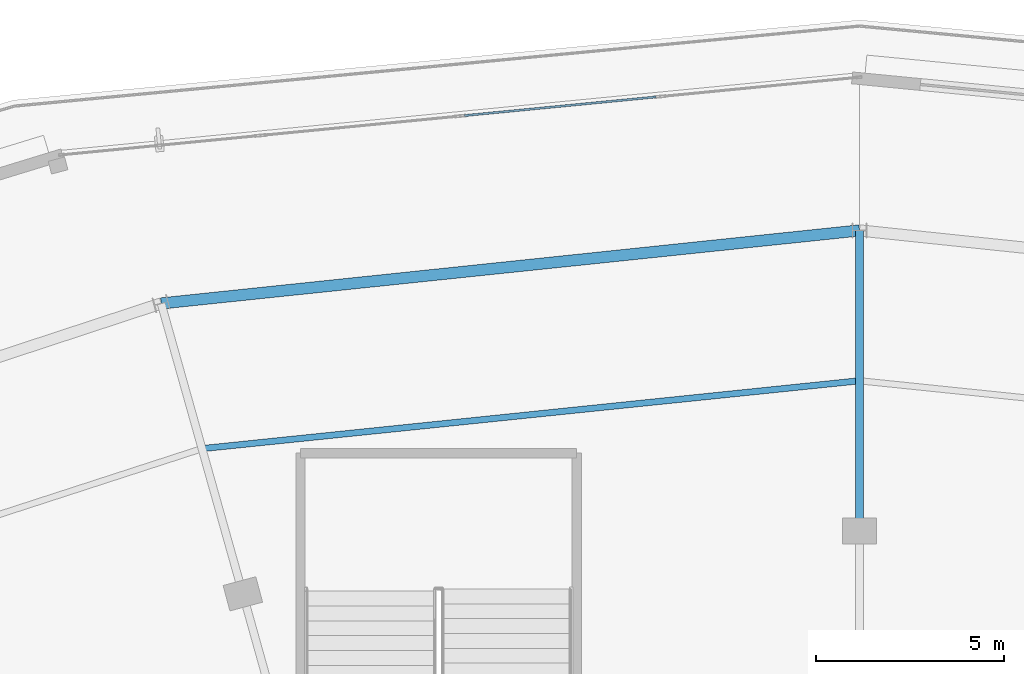
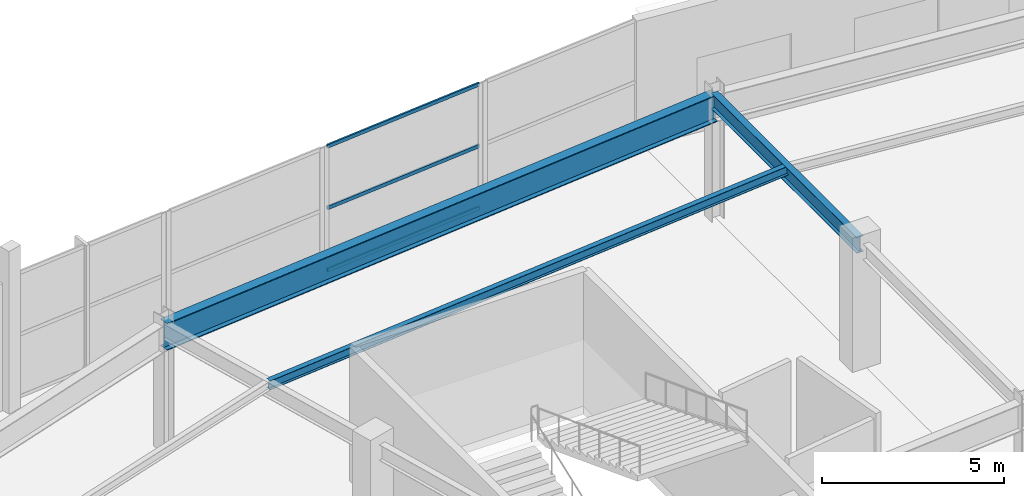
# One storey, part 51 of 123: 3 beams, 3 members, 1 element without a shape of its own.
"""IFC4 building model written with IfcOpenShell, lengths in metres."""

from ifc_helpers import new_model, si_unit, direction, frame, origin, origin_2d, place, context, subcontext, project, spatial, hollow_rectangle, i_section, extrude, material, layer, layer_set, material_profile, profile_set, type_object, element, aggregate, save


model = new_model("IFC4")

# Units and contexts
model_context = context("Model", 3, precision=1e-05, world=origin(), true_north=direction((0.0, 1.0)))
body_context = subcontext(model_context, "Body", "Model", "MODEL_VIEW")
ifc_project = project(units=[si_unit("LENGTHUNIT", "METRE"), si_unit("AREAUNIT", "SQUARE_METRE"), si_unit("VOLUMEUNIT", "CUBIC_METRE"), si_unit("PLANEANGLEUNIT", "RADIAN"), si_unit("MASSUNIT", "GRAM", prefix="KILO")], contexts=[model_context])

# Site, building, storey
site_placement = place(None, origin())
site = spatial("IfcSite", under=ifc_project, at=site_placement, CompositionType="ELEMENT")
building_placement = place(site_placement, origin())
building = spatial("IfcBuilding", under=site, at=building_placement, Name="Kalgoora Escarpment Arena", CompositionType="ELEMENT")
storey_placement = place(building_placement, frame((0.0, 0.0, 9.89990234375)))
storey = spatial("IfcBuildingStorey", under=building, at=storey_placement, Name="L02", CompositionType="ELEMENT", Elevation=9.89990234375)

# Beams
ifc_material_1 = material(Name="Structural steel AS/NZS 3679 (300 MPa)", Category="steel")
ifc_material_profile_1 = material_profile(ifc_material_1, i_section(OverallWidth=0.166015625, OverallDepth=0.306884765625, WebThickness=0.006591796875, FlangeThickness=0.01171875, at=origin_2d()))
ifc_profile_set_1 = profile_set([ifc_material_profile_1], Name="Structural steel AS/NZS 3679 (300 MPa)")
beam_type_1 = type_object("IfcBeamType", Name="BM-BEAM-310UB46.2", PredefinedType="BEAM", material=ifc_profile_set_1)
beam_1_placement = place(storey_placement, frame((92.39990234375, 117.0, 4.03662109375), z_axis=(-0.994715233773, -0.102672312238, 0.0), x_axis=(0.102672312238, -0.994715233773, 0.0)))
element("IfcBeam", 1, at=beam_1_placement, inside=storey, type_object=beam_type_1, Name="L02 Concourse secondary ring beam 310UB46.2", PredefinedType="BEAM", context=body_context, shape_type="SweptSolid", body=[
    extrude(i_section(OverallWidth=0.166015625, OverallDepth=0.306884765625, WebThickness=0.006591796875, FlangeThickness=0.01171875, at=origin_2d()), origin(), (0.0, 0.0, 1.0), 17.589111328125),
])
ifc_material_2 = material(Name="Structural steel AS/NZS 3679 (300 MPa)", Category="steel")
ifc_material_profile_2 = material_profile(ifc_material_2, i_section(OverallWidth=0.208984375, OverallDepth=0.528076171875, WebThickness=0.009521484375, FlangeThickness=0.01318359375, at=origin_2d()))
ifc_profile_set_2 = profile_set([ifc_material_profile_2], Name="Structural steel AS/NZS 3679 (300 MPa)")
beam_type_2 = type_object("IfcBeamType", Name="BM-GIRDER-530UB82.0", PredefinedType="USERDEFINED", material=ifc_profile_set_2)
beam_2_placement = place(storey_placement, frame((92.39990234375, 113.0, 3.926025390625), z_axis=(0.0, 1.0, 0.0), x_axis=(-1.0, 0.0, 0.0)))
element("IfcBeam", 2, at=beam_2_placement, inside=storey, type_object=beam_type_2, Name="L02 Radial concourse girder 530UB82.0", ObjectType="GIRDER", PredefinedType="USERDEFINED", context=body_context, shape_type="SweptSolid", body=[
    extrude(i_section(OverallWidth=0.208984375, OverallDepth=0.528076171875, WebThickness=0.009521484375, FlangeThickness=0.01318359375, at=origin_2d()), origin(), (0.0, 0.0, 1.0), 8.0),
])
ifc_material_3 = material(Name="Structural steel Grade 350 (350 MPa)", Category="steel")
ifc_material_profile_3 = material_profile(ifc_material_3, i_section(OverallWidth=0.300048828125, OverallDepth=0.909912109375, WebThickness=0.011962890625, FlangeThickness=0.028076171875, at=origin_2d()))
ifc_profile_set_3 = profile_set([ifc_material_profile_3], Name="Structural steel Grade 350 (350 MPa)")
beam_type_3 = type_object("IfcBeamType", Name="BM-SPANDREL-900WB218", PredefinedType="SPANDREL", material=ifc_profile_set_3)
beam_3_placement = place(storey_placement, frame((92.39990234375, 121.0, 3.735107421875), z_axis=(-0.994583005347, -0.103945396599, 0.0), x_axis=(0.103945396599, -0.994583005347, 0.0)))
element("IfcBeam", 3, at=beam_3_placement, inside=storey, type_object=beam_type_3, Name="L02 Circumferential concourse girder RCONC2 900WB218", PredefinedType="SPANDREL", context=body_context, shape_type="SweptSolid", body=[
    extrude(i_section(OverallWidth=0.300048828125, OverallDepth=0.909912109375, WebThickness=0.011962890625, FlangeThickness=0.028076171875, at=origin_2d()), origin(), (0.0, 0.0, 1.0), 18.684326171875),
])

# Curtain wall, members
ifc_material_4 = material(Name=" Champagne anodised aluminium & double-glazed low-E", Category="aluminium")
ifc_layer = layer(ifc_material_4, 0.162109375)
ifc_layer_set = layer_set([ifc_layer], Name="CW-UNIT-18")
curtain_wall_type = type_object("IfcCurtainWallType", Name="CW-UNIT-18", PredefinedType="NOTDEFINED", material=ifc_layer_set)
curtain_wall_placement = place(storey_placement, origin())
curtain_wall = element("IfcCurtainWall", 4, at=curtain_wall_placement, inside=storey, type_object=curtain_wall_type, Name="L02 unitised facade curtain wall 077", PredefinedType="NOTDEFINED")
ifc_material_5 = material(Name="Anodised aluminium 6063-T6", Category="aluminium")
ifc_material_profile_4 = material_profile(ifc_material_5, hollow_rectangle(XDim=0.054931640625, YDim=0.1201171875, WallThickness=0.003173828125, at=origin_2d()))
ifc_profile_set_4 = profile_set([ifc_material_profile_4], Name="Anodised aluminium 6063-T6")
member_type = type_object("IfcMemberType", Name="MEM-CW-TRAN-120", PredefinedType="USERDEFINED", material=ifc_profile_set_4)
member_1_placement = place(storey_placement, frame((81.884033203125, 124.05615234375, 0.047607421875), z_axis=(0.995296958049, 0.096870869193, 0.0), x_axis=(-0.096870869193, 0.995296958049, 0.0)))
member_1 = element("IfcMember", 5, at=member_1_placement, type_object=member_type, Name="CW-18 transom 1.1", ObjectType="TRANSOM", PredefinedType="USERDEFINED", context=body_context, shape_type="SweptSolid", body=[
    extrude(hollow_rectangle(XDim=0.054931640625, YDim=0.1201171875, WallThickness=0.003173828125, at=origin_2d()), origin(), (0.0, 0.0, 1.0), 5.123779296875),
])
member_2_placement = place(storey_placement, frame((81.884033203125, 124.05615234375, 2.132568359375), z_axis=(0.995296958049, 0.096870869193, 0.0), x_axis=(-0.096870869193, 0.995296958049, 0.0)))
member_2 = element("IfcMember", 6, at=member_2_placement, type_object=member_type, Name="CW-18 transom 1.2", ObjectType="TRANSOM", PredefinedType="USERDEFINED", context=body_context, shape_type="SweptSolid", body=[
    extrude(hollow_rectangle(XDim=0.054931640625, YDim=0.1201171875, WallThickness=0.003173828125, at=origin_2d()), origin(), (0.0, 0.0, 1.0), 5.123779296875),
])
member_3_placement = place(storey_placement, frame((81.884033203125, 124.05615234375, 4.197509765625), z_axis=(0.995296958049, 0.096870869193, 0.0), x_axis=(-0.096870869193, 0.995296958049, 0.0)))
member_3 = element("IfcMember", 7, at=member_3_placement, type_object=member_type, Name="CW-18 transom 1.3", ObjectType="TRANSOM", PredefinedType="USERDEFINED", context=body_context, shape_type="SweptSolid", body=[
    extrude(hollow_rectangle(XDim=0.054931640625, YDim=0.1201171875, WallThickness=0.003173828125, at=origin_2d()), origin(), (0.0, 0.0, 1.0), 5.123779296875),
])
aggregate(curtain_wall, [member_1, member_2, member_3])

save(model, "model.ifc")
